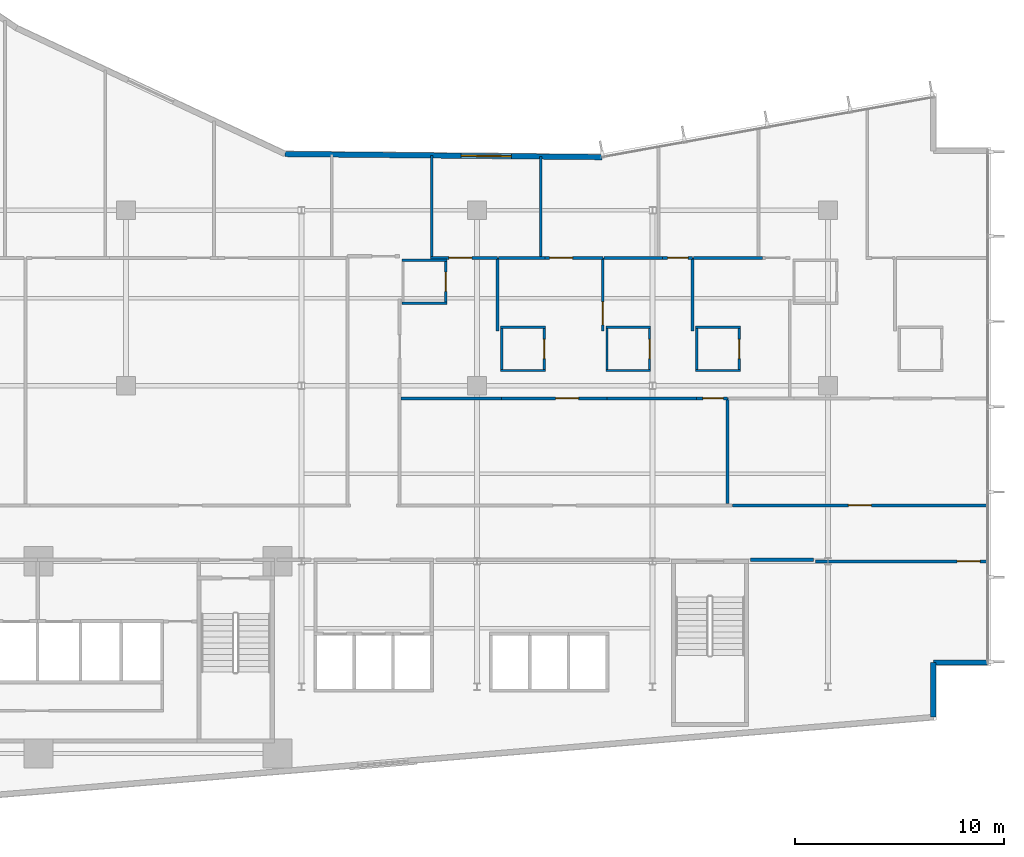
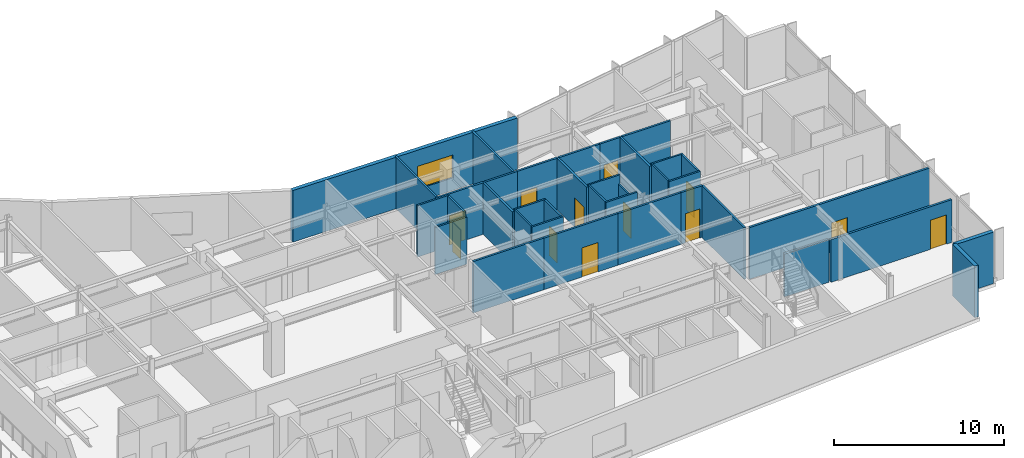
# One storey, part 14 of 22: 37 walls, 12 doors, 1 window, 13 openings.
"""IFC4 building model written with IfcOpenShell, lengths in metres."""

from ifc_helpers import new_model, si_unit, direction, frame, frame_2d, origin, place, context, subcontext, project, spatial, rectangle, extrude, material, layer, layer_set, type_object, element, fill, save


model = new_model("IFC4")

# Units and contexts
model_context = context("Model", 3, precision=1e-05, world=origin(), true_north=direction((0.0, 1.0)))
body_context = subcontext(model_context, "Body", "Model", "MODEL_VIEW")
ifc_project = project(units=[si_unit("LENGTHUNIT", "METRE"), si_unit("AREAUNIT", "SQUARE_METRE"), si_unit("VOLUMEUNIT", "CUBIC_METRE"), si_unit("PLANEANGLEUNIT", "RADIAN"), si_unit("MASSUNIT", "GRAM", prefix="KILO")], contexts=[model_context])

# Site, building, storey
site_placement = place(None, origin())
site = spatial("IfcSite", under=ifc_project, at=site_placement, CompositionType="ELEMENT")
building_placement = place(site_placement, origin())
building = spatial("IfcBuilding", under=site, at=building_placement, Name="Varnakote Quay Hospital", CompositionType="ELEMENT")
storey_placement = place(building_placement, frame((0.0, 0.0, 65.949951171875)))
storey = spatial("IfcBuildingStorey", under=building, at=storey_placement, Name="L16", CompositionType="ELEMENT", Elevation=65.949951171875)

# Walls
ifc_material_1 = material(Name="Fire-rated acoustic gypsum stud wall", Category="gypsum")
ifc_layer_1 = layer(ifc_material_1, 0.159912109375)
ifc_layer_set_1 = layer_set([ifc_layer_1], Name="Fire-rated acoustic gypsum stud wall")
wall_type_1 = type_object("IfcWallType", Name="WL-COMP-160", PredefinedType="PARTITIONING", material=ifc_layer_set_1)
wall_1_placement = place(storey_placement, frame((46.689208984375, 12.080078125, 0.0), z_axis=(0.0, 0.0, 1.0), x_axis=(1.0, 0.0, 0.0)))
element("IfcWall", 1, at=wall_1_placement, inside=storey, type_object=wall_type_1, Name="L16 Corridor South Gap Wall", PredefinedType="PARTITIONING", context=body_context, shape_type="SweptSolid", body=[
    extrude(rectangle(XDim=3.0107421875, YDim=0.159912109375, at=frame_2d((1.50537109375, 0.0))), origin(), (0.0, 0.0, 1.0), 3.072998046875),
])
ifc_material_2 = material(Name="Moisture-resistant bathroom partition", Category="gypsum")
ifc_layer_2 = layer(ifc_material_2, 0.114990234375)
ifc_layer_set_2 = layer_set([ifc_layer_2], Name="Moisture-resistant bathroom partition")
wall_type_2 = type_object("IfcWallType", Name="WL-ENS-115", PredefinedType="PARTITIONING", material=ifc_layer_set_2)
wall_2_placement = place(storey_placement, frame((30.0048828125, 24.342529296875, 0.0), z_axis=(0.0, 0.0, 1.0), x_axis=(1.0, 0.0, 0.0)))
element("IfcWall", 2, at=wall_2_placement, inside=storey, type_object=wall_type_2, Name="L16 Inpatient En-Suite Bathroom 01 S Wall", PredefinedType="PARTITIONING", context=body_context, shape_type="SweptSolid", body=[
    extrude(rectangle(XDim=2.150146484375, YDim=0.114990234375, at=frame_2d((1.0751953125, 0.0))), origin(), (0.0, 0.0, 1.0), 3.3779296875),
])
wall_3_placement = place(storey_placement, frame((30.0048828125, 26.407470703125, 0.0), z_axis=(0.0, 0.0, 1.0), x_axis=(1.0, 0.0, 0.0)))
element("IfcWall", 3, at=wall_3_placement, inside=storey, type_object=wall_type_2, Name="L16 Inpatient En-Suite Bathroom 01 N Wall", PredefinedType="PARTITIONING", context=body_context, shape_type="SweptSolid", body=[
    extrude(rectangle(XDim=2.150146484375, YDim=0.114990234375, at=frame_2d((1.0751953125, 0.0))), origin(), (0.0, 0.0, 1.0), 3.7099609375),
])

# Wall, opening, door
wall_4_placement = place(storey_placement, frame((32.097412109375, 24.39990234375, 0.0), z_axis=(0.0, 0.0, 1.0), x_axis=(0.0, 1.0, 0.0)))
wall_4 = element("IfcWall", 4, at=wall_4_placement, inside=storey, type_object=wall_type_2, Name="L16 Inpatient En-Suite Bathroom 01 E Wall", PredefinedType="PARTITIONING", context=body_context, shape_type="SweptSolid", body=[
    extrude(rectangle(XDim=1.9501953125, YDim=0.114990234375, at=frame_2d((0.97509765625, 0.0))), origin(), (0.0, 0.0, 1.0), 3.7099609375),
])
opening_1_placement = place(wall_4_placement, frame((0.514892578125, 0.0, 0.0)))
opening_1 = element("IfcOpeningElement", 5, at=opening_1_placement, cuts=wall_4, Name="Opening D-L16-ENS01", PredefinedType="OPENING", context=body_context, shape_type="SweptSolid", body=[
    extrude(rectangle(XDim=0.919921875, YDim=2.10009765625, at=frame_2d((0.4599609375, 1.050048828125))), frame((0.0, 0.0673828125, 0.0), z_axis=(0.0, -1.0, 0.0), x_axis=(1.0, 0.0, 0.0)), (0.0, 0.0, 1.0), 0.135009765625),
])
ifc_material_3 = material(Name="Moisture-sealed en-suite bathroom door")
door_type_1 = type_object("IfcDoorType", Name="DR-ENS-920x2100", OperationType="NOTDEFINED", PredefinedType="DOOR", material=ifc_material_3)
door_1_placement = place(opening_1_placement, origin())
door_1 = element("IfcDoor", 6, at=door_1_placement, inside=storey, type_object=door_type_1, Name="L16 Inpatient En-Suite Bathroom 01 Door", OperationType="SINGLE_SWING_RIGHT", OverallHeight=2.10009765625, OverallWidth=0.919921875, PredefinedType="DOOR", context=body_context, shape_type="SweptSolid", body=[
    extrude(rectangle(XDim=0.919921875, YDim=2.10009765625, at=frame_2d((0.4599609375, 1.050048828125))), frame((0.0, 0.02490234375, 0.0), z_axis=(0.0, -1.0, 0.0), x_axis=(1.0, 0.0, 0.0)), (0.0, 0.0, 1.0), 0.050048828125),
])
fill(opening_1, door_1)

# Walls
for number, where, z_axis, x_axis, name in (
    (7, (34.72509765625, 21.132568359375, 0.0), (0.0, 0.0, 1.0), (1.0, 0.0, 0.0), "L16 Inpatient En-Suite Bathroom 02 S Wall"),
    (8, (34.72509765625, 23.197509765625, 0.0), (0.0, 0.0, 1.0), (1.0, 0.0, 0.0), "L16 Inpatient En-Suite Bathroom 02 N Wall"),
):
    element("IfcWall", number, at=place(storey_placement, frame(where, z_axis=z_axis, x_axis=x_axis)), inside=storey, type_object=wall_type_2, Name=name, PredefinedType="PARTITIONING", context=body_context, shape_type="SweptSolid", body=[
        extrude(rectangle(XDim=2.14990234375, YDim=0.114990234375, at=frame_2d((1.074951171875, 0.0))), origin(), (0.0, 0.0, 1.0), 3.7099609375),
    ])
wall_5_placement = place(storey_placement, frame((34.782470703125, 21.18994140625, 0.0), z_axis=(0.0, 0.0, 1.0), x_axis=(0.0, 1.0, 0.0)))
element("IfcWall", 9, at=wall_5_placement, inside=storey, type_object=wall_type_2, Name="L16 Inpatient En-Suite Bathroom 02 W Wall", PredefinedType="PARTITIONING", context=body_context, shape_type="SweptSolid", body=[
    extrude(rectangle(XDim=1.949951171875, YDim=0.114990234375, at=frame_2d((0.97509765625, 0.0))), origin(), (0.0, 0.0, 1.0), 3.7099609375),
])

# Wall, opening, door
wall_6_placement = place(storey_placement, frame((36.8173828125, 21.18994140625, 0.0), z_axis=(0.0, 0.0, 1.0), x_axis=(0.0, 1.0, 0.0)))
wall_6 = element("IfcWall", 10, at=wall_6_placement, inside=storey, type_object=wall_type_2, Name="L16 Inpatient En-Suite Bathroom 02 E Wall", PredefinedType="PARTITIONING", context=body_context, shape_type="SweptSolid", body=[
    extrude(rectangle(XDim=1.949951171875, YDim=0.114990234375, at=frame_2d((0.97509765625, 0.0))), origin(), (0.0, 0.0, 1.0), 3.7099609375),
])
opening_2_placement = place(wall_6_placement, frame((0.514892578125, 0.0, 0.0)))
opening_2 = element("IfcOpeningElement", 11, at=opening_2_placement, cuts=wall_6, Name="Opening D-L16-ENS02", PredefinedType="OPENING", context=body_context, shape_type="SweptSolid", body=[
    extrude(rectangle(XDim=0.919921875, YDim=2.10009765625, at=frame_2d((0.4599609375, 1.050048828125))), frame((0.0, 0.0673828125, 0.0), z_axis=(0.0, -1.0, 0.0), x_axis=(1.0, 0.0, 0.0)), (0.0, 0.0, 1.0), 0.135009765625),
])
door_2_placement = place(opening_2_placement, origin())
door_2 = element("IfcDoor", 12, at=door_2_placement, inside=storey, type_object=door_type_1, Name="L16 Inpatient En-Suite Bathroom 02 Door", OperationType="SINGLE_SWING_LEFT", OverallHeight=2.10009765625, OverallWidth=0.919921875, PredefinedType="DOOR", context=body_context, shape_type="SweptSolid", body=[
    extrude(rectangle(XDim=0.919921875, YDim=2.10009765625, at=frame_2d((0.4599609375, 1.050048828125))), frame((0.0, 0.02490234375, 0.0), z_axis=(0.0, -1.0, 0.0), x_axis=(1.0, 0.0, 0.0)), (0.0, 0.0, 1.0), 0.050048828125),
])
fill(opening_2, door_2)

# Walls
for number, where, z_axis, x_axis, name in (
    (13, (39.764892578125, 21.132568359375, 0.0), (0.0, 0.0, 1.0), (1.0, 0.0, 0.0), "L16 Inpatient En-Suite Bathroom 03 S Wall"),
    (14, (39.764892578125, 23.197509765625, 0.0), (0.0, 0.0, 1.0), (1.0, 0.0, 0.0), "L16 Inpatient En-Suite Bathroom 03 N Wall"),
):
    element("IfcWall", number, at=place(storey_placement, frame(where, z_axis=z_axis, x_axis=x_axis)), inside=storey, type_object=wall_type_2, Name=name, PredefinedType="PARTITIONING", context=body_context, shape_type="SweptSolid", body=[
        extrude(rectangle(XDim=2.150146484375, YDim=0.114990234375, at=frame_2d((1.0751953125, 0.0))), origin(), (0.0, 0.0, 1.0), 3.7099609375),
    ])
wall_7_placement = place(storey_placement, frame((39.822509765625, 21.18994140625, 0.0), z_axis=(0.0, 0.0, 1.0), x_axis=(0.0, 1.0, 0.0)))
element("IfcWall", 15, at=wall_7_placement, inside=storey, type_object=wall_type_2, Name="L16 Inpatient En-Suite Bathroom 03 W Wall", PredefinedType="PARTITIONING", context=body_context, shape_type="SweptSolid", body=[
    extrude(rectangle(XDim=1.949951171875, YDim=0.114990234375, at=frame_2d((0.97509765625, 0.0))), origin(), (0.0, 0.0, 1.0), 3.7099609375),
])

# Wall, opening, door
wall_8_placement = place(storey_placement, frame((41.857421875, 21.18994140625, 0.0), z_axis=(0.0, 0.0, 1.0), x_axis=(0.0, 1.0, 0.0)))
wall_8 = element("IfcWall", 16, at=wall_8_placement, inside=storey, type_object=wall_type_2, Name="L16 Inpatient En-Suite Bathroom 03 E Wall", PredefinedType="PARTITIONING", context=body_context, shape_type="SweptSolid", body=[
    extrude(rectangle(XDim=1.949951171875, YDim=0.114990234375, at=frame_2d((0.97509765625, 0.0))), origin(), (0.0, 0.0, 1.0), 3.072998046875),
])
opening_3_placement = place(wall_8_placement, frame((0.514892578125, 0.0, 0.0)))
opening_3 = element("IfcOpeningElement", 17, at=opening_3_placement, cuts=wall_8, Name="Opening D-L16-ENS03", PredefinedType="OPENING", context=body_context, shape_type="SweptSolid", body=[
    extrude(rectangle(XDim=0.919921875, YDim=2.10009765625, at=frame_2d((0.4599609375, 1.050048828125))), frame((0.0, 0.0673828125, 0.0), z_axis=(0.0, -1.0, 0.0), x_axis=(1.0, 0.0, 0.0)), (0.0, 0.0, 1.0), 0.135009765625),
])
door_3_placement = place(opening_3_placement, origin())
door_3 = element("IfcDoor", 18, at=door_3_placement, inside=storey, type_object=door_type_1, Name="L16 Inpatient En-Suite Bathroom 03 Door", OperationType="SINGLE_SWING_RIGHT", OverallHeight=2.10009765625, OverallWidth=0.919921875, PredefinedType="DOOR", context=body_context, shape_type="SweptSolid", body=[
    extrude(rectangle(XDim=0.919921875, YDim=2.10009765625, at=frame_2d((0.4599609375, 1.050048828125))), frame((0.0, 0.02490234375, 0.0), z_axis=(0.0, -1.0, 0.0), x_axis=(1.0, 0.0, 0.0)), (0.0, 0.0, 1.0), 0.050048828125),
])
fill(opening_3, door_3)

# Walls
for number, where, z_axis, x_axis, name in (
    (19, (44.054931640625, 21.132568359375, 0.0), (0.0, 0.0, 1.0), (1.0, 0.0, 0.0), "L16 Inpatient En-Suite Bathroom 04 S Wall"),
    (20, (44.054931640625, 23.197509765625, 0.0), (0.0, 0.0, 1.0), (1.0, 0.0, 0.0), "L16 Inpatient En-Suite Bathroom 04 N Wall"),
):
    element("IfcWall", number, at=place(storey_placement, frame(where, z_axis=z_axis, x_axis=x_axis)), inside=storey, type_object=wall_type_2, Name=name, PredefinedType="PARTITIONING", context=body_context, shape_type="SweptSolid", body=[
        extrude(rectangle(XDim=2.150146484375, YDim=0.114990234375, at=frame_2d((1.0751953125, 0.0))), origin(), (0.0, 0.0, 1.0), 3.7099609375),
    ])
wall_9_placement = place(storey_placement, frame((44.112548828125, 21.18994140625, 0.0), z_axis=(0.0, 0.0, 1.0), x_axis=(0.0, 1.0, 0.0)))
element("IfcWall", 21, at=wall_9_placement, inside=storey, type_object=wall_type_2, Name="L16 Inpatient En-Suite Bathroom 04 W Wall", PredefinedType="PARTITIONING", context=body_context, shape_type="SweptSolid", body=[
    extrude(rectangle(XDim=1.949951171875, YDim=0.114990234375, at=frame_2d((0.97509765625, 0.0))), origin(), (0.0, 0.0, 1.0), 3.7099609375),
])

# Wall, opening, door
wall_10_placement = place(storey_placement, frame((46.1474609375, 21.18994140625, 0.0), z_axis=(0.0, 0.0, 1.0), x_axis=(0.0, 1.0, 0.0)))
wall_10 = element("IfcWall", 22, at=wall_10_placement, inside=storey, type_object=wall_type_2, Name="L16 Inpatient En-Suite Bathroom 04 E Wall", PredefinedType="PARTITIONING", context=body_context, shape_type="SweptSolid", body=[
    extrude(rectangle(XDim=1.949951171875, YDim=0.114990234375, at=frame_2d((0.97509765625, 0.0))), origin(), (0.0, 0.0, 1.0), 3.7099609375),
])
opening_4_placement = place(wall_10_placement, frame((0.514892578125, 0.0, 0.0)))
opening_4 = element("IfcOpeningElement", 23, at=opening_4_placement, cuts=wall_10, Name="Opening D-L16-ENS04", PredefinedType="OPENING", context=body_context, shape_type="SweptSolid", body=[
    extrude(rectangle(XDim=0.919921875, YDim=2.10009765625, at=frame_2d((0.4599609375, 1.050048828125))), frame((0.0, 0.0673828125, 0.0), z_axis=(0.0, -1.0, 0.0), x_axis=(1.0, 0.0, 0.0)), (0.0, 0.0, 1.0), 0.135009765625),
])
door_4_placement = place(opening_4_placement, origin())
door_4 = element("IfcDoor", 24, at=door_4_placement, inside=storey, type_object=door_type_1, Name="L16 Inpatient En-Suite Bathroom 04 Door", OperationType="SINGLE_SWING_LEFT", OverallHeight=2.10009765625, OverallWidth=0.919921875, PredefinedType="DOOR", context=body_context, shape_type="SweptSolid", body=[
    extrude(rectangle(XDim=0.919921875, YDim=2.10009765625, at=frame_2d((0.4599609375, 1.050048828125))), frame((0.0, 0.02490234375, 0.0), z_axis=(0.0, -1.0, 0.0), x_axis=(1.0, 0.0, 0.0)), (0.0, 0.0, 1.0), 0.050048828125),
])
fill(opening_4, door_4)

# Walls
ifc_material_4 = material(Name="Precast concrete N50 (f'c 50 MPa)", Category="concrete")
ifc_layer_3 = layer(ifc_material_4, 0.260009765625)
ifc_layer_set_3 = layer_set([ifc_layer_3], Name="Precast concrete N50 (f'c 50 MPa)")
wall_type_3 = type_object("IfcWallType", Name="WL-EXT-BRICK-260", PredefinedType="STANDARD", material=ifc_layer_set_3)
wall_11_placement = place(storey_placement, frame((55.43994140625, 4.54736328125, 0.0), z_axis=(0.0, 0.0, 1.0), x_axis=(0.0, 1.0, 0.0)))
element("IfcWall", 25, at=wall_11_placement, inside=storey, type_object=wall_type_3, Name="L16 Brick-Faced Precast Exterior Wall", PredefinedType="STANDARD", context=body_context, shape_type="SweptSolid", body=[
    extrude(rectangle(XDim=2.612548828125, YDim=0.260009765625, at=frame_2d((1.30615234375, 0.0))), origin(), (0.0, 0.0, 1.0), 3.7099609375),
])
wall_12_placement = place(storey_placement, frame((55.43994140625, 7.159912109375, 0.0), z_axis=(0.0, 0.0, 1.0), x_axis=(1.0, 0.0, 0.0)))
element("IfcWall", 26, at=wall_12_placement, inside=storey, type_object=wall_type_3, Name="L16 Brick-Faced Precast Exterior Wall", PredefinedType="STANDARD", context=body_context, shape_type="SweptSolid", body=[
    extrude(rectangle(XDim=2.60009765625, YDim=0.260009765625, at=frame_2d((1.300048828125, 0.0))), origin(), (0.0, 0.0, 1.0), 3.7099609375),
])

# Wall, opening, window
wall_13_placement = place(storey_placement, frame((39.589599609375, 31.343994140625, 0.0), z_axis=(0.0, 0.0, 1.0), x_axis=(-0.999952362926, 0.009760731435, 0.0)))
wall_13 = element("IfcWall", 27, at=wall_13_placement, inside=storey, type_object=wall_type_3, Name="L16 Brick-Faced Precast Exterior Wall", PredefinedType="STANDARD", context=body_context, shape_type="SweptSolid", body=[
    extrude(rectangle(XDim=15.1826171875, YDim=0.260009765625, at=frame_2d((7.59130859375, 0.0))), origin(), (0.0, 0.0, 1.0), 3.7099609375),
])
opening_5_placement = place(wall_13_placement, frame((4.344970703125, 0.0, 0.89990234375)))
opening_5 = element("IfcOpeningElement", 28, at=opening_5_placement, cuts=wall_13, Name="Opening WN-0079", PredefinedType="OPENING", context=body_context, shape_type="SweptSolid", body=[
    extrude(rectangle(XDim=2.39990234375, YDim=1.64990234375, at=frame_2d((1.199951171875, 0.824951171875))), frame((0.0, 0.139892578125, 0.0), z_axis=(0.0, -1.0, 0.0), x_axis=(1.0, 0.0, 0.0)), (0.0, 0.0, 1.0), 0.280029296875),
])
ifc_material_5 = material(Name="Double-glazed low-E solar glass", Category="glass")
window_type = type_object("IfcWindowType", Name="WIN-CLIN-2400x1650", PartitioningType="SINGLE_PANEL", PredefinedType="WINDOW", material=ifc_material_5)
window_placement = place(opening_5_placement, origin())
window = element("IfcWindow", 29, at=window_placement, inside=storey, type_object=window_type, Name="L16 Solar-Control Clinical Window", OverallHeight=1.64990234375, OverallWidth=2.39990234375, PartitioningType="SINGLE_PANEL", PredefinedType="WINDOW", context=body_context, shape_type="SweptSolid", body=[
    extrude(rectangle(XDim=2.39990234375, YDim=1.64990234375, at=frame_2d((1.199951171875, 0.824951171875))), frame((0.0, 0.030029296875, 0.0), z_axis=(0.0, -1.0, 0.0), x_axis=(1.0, 0.0, 0.0)), (0.0, 0.0, 1.0), 0.06005859375),
])
fill(opening_5, window)

# Walls
ifc_material_6 = material(Name="Smoke-proof clinical partition", Category="gypsum")
ifc_layer_4 = layer(ifc_material_6, 0.135009765625)
ifc_layer_set_4 = layer_set([ifc_layer_4], Name="Smoke-proof clinical partition")
wall_type_4 = type_object("IfcWallType", Name="WL-SMOKE-135", PredefinedType="PARTITIONING", material=ifc_layer_set_4)
wall_14_placement = place(storey_placement, frame((45.590087890625, 14.760009765625, 0.0), z_axis=(0.0, 0.0, 1.0), x_axis=(0.0, 1.0, 0.0)))
element("IfcWall", 30, at=wall_14_placement, inside=storey, type_object=wall_type_4, Name="L16 Clinical Interior Partition", PredefinedType="PARTITIONING", context=body_context, shape_type="SweptSolid", body=[
    extrude(rectangle(XDim=5.0400390625, YDim=0.135009765625, at=frame_2d((2.52001953125, 0.0))), origin(), (0.0, 0.0, 1.0), 3.7099609375),
])
wall_15_placement = place(storey_placement, frame((34.774658203125, 19.800048828125, 0.0), z_axis=(0.0, 0.0, 1.0), x_axis=(-1.0, 0.0, 0.0)))
element("IfcWall", 31, at=wall_15_placement, inside=storey, type_object=wall_type_4, Name="L16 Clinical Interior Partition", PredefinedType="PARTITIONING", context=body_context, shape_type="SweptSolid", body=[
    extrude(rectangle(XDim=4.8095703125, YDim=0.135009765625, at=frame_2d((2.40478515625, 0.0))), origin(), (0.0, 0.0, 1.0), 3.7099609375),
])

# Wall, opening, door
wall_16_placement = place(storey_placement, frame((39.814697265625, 19.800048828125, 0.0), z_axis=(0.0, 0.0, 1.0), x_axis=(-1.0, 0.0, 0.0)))
wall_16 = element("IfcWall", 32, at=wall_16_placement, inside=storey, type_object=wall_type_4, Name="L16 Clinical Interior Partition", PredefinedType="PARTITIONING", context=body_context, shape_type="SweptSolid", body=[
    extrude(rectangle(XDim=5.0380859375, YDim=0.135009765625, at=frame_2d((2.51904296875, 0.0))), origin(), (0.0, 0.0, 1.0), 3.7099609375),
])
opening_6_placement = place(wall_16_placement, frame((1.349853515625, 0.0, 0.0)))
opening_6 = element("IfcOpeningElement", 33, at=opening_6_placement, cuts=wall_16, Name="Opening D-L16-BR02", PredefinedType="OPENING", context=body_context, shape_type="SweptSolid", body=[
    extrude(rectangle(XDim=1.10009765625, YDim=2.10009765625, at=frame_2d((0.550048828125, 1.050048828125))), frame((0.0, 0.077392578125, 0.0), z_axis=(0.0, -1.0, 0.0), x_axis=(1.0, 0.0, 0.0)), (0.0, 0.0, 1.0), 0.155029296875),
])
ifc_material_7 = material(Name="Acoustic timber clinical consult door", Category="wood")
door_type_2 = type_object("IfcDoorType", Name="DR-CLIN-FD30S-1100x2100", OperationType="NOTDEFINED", PredefinedType="DOOR", material=ifc_material_7)
door_5_placement = place(opening_6_placement, origin())
door_5 = element("IfcDoor", 34, at=door_5_placement, inside=storey, type_object=door_type_2, Name="L16 Inpatient Clinical Treatment Room 02 Door", OperationType="SINGLE_SWING_LEFT", OverallHeight=2.10009765625, OverallWidth=1.10009765625, PredefinedType="DOOR", context=body_context, shape_type="SweptSolid", body=[
    extrude(rectangle(XDim=1.10009765625, YDim=2.10009765625, at=frame_2d((0.550048828125, 1.050048828125))), frame((0.0, 0.02490234375, 0.0), z_axis=(0.0, -1.0, 0.0), x_axis=(1.0, 0.0, 0.0)), (0.0, 0.0, 1.0), 0.050048828125),
])
fill(opening_6, door_5)

# Wall
wall_17_placement = place(storey_placement, frame((44.1044921875, 19.800048828125, 0.0), z_axis=(0.0, 0.0, 1.0), x_axis=(-1.0, 0.0, 0.0)))
element("IfcWall", 35, at=wall_17_placement, inside=storey, type_object=wall_type_4, Name="L16 Clinical Interior Partition", PredefinedType="PARTITIONING", context=body_context, shape_type="SweptSolid", body=[
    extrude(rectangle(XDim=4.287841796875, YDim=0.135009765625, at=frame_2d((2.14404296875, 0.0))), origin(), (0.0, 0.0, 1.0), 3.7099609375),
])

# Wall, opening, door
wall_18_placement = place(storey_placement, frame((45.590087890625, 19.800048828125, 0.0), z_axis=(0.0, 0.0, 1.0), x_axis=(-1.0, 0.0, 0.0)))
wall_18 = element("IfcWall", 36, at=wall_18_placement, inside=storey, type_object=wall_type_4, Name="L16 Clinical Interior Partition", PredefinedType="PARTITIONING", context=body_context, shape_type="SweptSolid", body=[
    extrude(rectangle(XDim=1.4833984375, YDim=0.135009765625, at=frame_2d((0.74169921875, 0.0))), origin(), (0.0, 0.0, 1.0), 3.7099609375),
])
opening_7_placement = place(wall_18_placement, frame((0.20263671875, 0.0, 0.0)))
opening_7 = element("IfcOpeningElement", 37, at=opening_7_placement, cuts=wall_18, Name="Opening D-L16-BR04", PredefinedType="OPENING", context=body_context, shape_type="SweptSolid", body=[
    extrude(rectangle(XDim=0.97998046875, YDim=2.10009765625, at=frame_2d((0.489990234375, 1.050048828125))), frame((0.0, 0.077392578125, 0.0), z_axis=(0.0, -1.0, 0.0), x_axis=(1.0, 0.0, 0.0)), (0.0, 0.0, 1.0), 0.155029296875),
])
ifc_material_8 = material(Name="Accessible sanitary compartment door")
door_type_3 = type_object("IfcDoorType", Name="DR-WC-980x2100", OperationType="NOTDEFINED", PredefinedType="DOOR", material=ifc_material_8)
door_6_placement = place(opening_7_placement, origin())
door_6 = element("IfcDoor", 38, at=door_6_placement, inside=storey, type_object=door_type_3, Name="L16 Inpatient Clinical Treatment Room 04 Door", OperationType="SINGLE_SWING_RIGHT", OverallHeight=2.10009765625, OverallWidth=0.97998046875, PredefinedType="DOOR", context=body_context, shape_type="SweptSolid", body=[
    extrude(rectangle(XDim=0.97998046875, YDim=2.10009765625, at=frame_2d((0.489990234375, 1.050048828125))), frame((0.0, 0.02490234375, 0.0), z_axis=(0.0, -1.0, 0.0), x_axis=(1.0, 0.0, 0.0)), (0.0, 0.0, 1.0), 0.050048828125),
])
fill(opening_7, door_6)

# Wall
wall_19_placement = place(storey_placement, frame((34.580078125, 23.012451171875, 0.0), z_axis=(0.0, 0.0, 1.0), x_axis=(0.0, 1.0, 0.0)))
element("IfcWall", 39, at=wall_19_placement, inside=storey, type_object=wall_type_4, Name="L16 Clinical Interior Partition", PredefinedType="PARTITIONING", context=body_context, shape_type="SweptSolid", body=[
    extrude(rectangle(XDim=3.507568359375, YDim=0.135009765625, at=frame_2d((1.75390625, 0.0))), origin(), (0.0, 0.0, 1.0), 3.7099609375),
])

# Wall, opening, door
wall_20_placement = place(storey_placement, frame((34.580078125, 26.52001953125, 0.0), z_axis=(0.0, 0.0, 1.0), x_axis=(-1.0, 0.0, 0.0)))
wall_20 = element("IfcWall", 40, at=wall_20_placement, inside=storey, type_object=wall_type_4, Name="L16 Clinical Interior Partition", PredefinedType="PARTITIONING", context=body_context, shape_type="SweptSolid", body=[
    extrude(rectangle(XDim=3.214599609375, YDim=0.135009765625, at=frame_2d((1.607421875, 0.0))), origin(), (0.0, 0.0, 1.0), 3.7099609375),
])
opening_8_placement = place(wall_20_placement, frame((1.228759765625, 0.0, 0.0)))
opening_8 = element("IfcOpeningElement", 41, at=opening_8_placement, cuts=wall_20, Name="Opening D-L16-MD10", PredefinedType="OPENING", context=body_context, shape_type="SweptSolid", body=[
    extrude(rectangle(XDim=1.10009765625, YDim=2.10009765625, at=frame_2d((0.550048828125, 1.050048828125))), frame((0.0, 0.077392578125, 0.0), z_axis=(0.0, -1.0, 0.0), x_axis=(1.0, 0.0, 0.0)), (0.0, 0.0, 1.0), 0.155029296875),
])
door_7_placement = place(opening_8_placement, origin())
door_7 = element("IfcDoor", 42, at=door_7_placement, inside=storey, type_object=door_type_2, Name="L16 Staff Clinical Handover Office Door", OperationType="SINGLE_SWING_LEFT", OverallHeight=2.10009765625, OverallWidth=1.10009765625, PredefinedType="DOOR", context=body_context, shape_type="SweptSolid", body=[
    extrude(rectangle(XDim=1.10009765625, YDim=2.10009765625, at=frame_2d((0.550048828125, 1.050048828125))), frame((0.0, 0.02490234375, 0.0), z_axis=(0.0, -1.0, 0.0), x_axis=(1.0, 0.0, 0.0)), (0.0, 0.0, 1.0), 0.050048828125),
])
fill(opening_8, door_7)

wall_21_placement = place(storey_placement, frame((39.6201171875, 23.012451171875, 0.0), z_axis=(0.0, 0.0, 1.0), x_axis=(0.0, 1.0, 0.0)))
wall_21 = element("IfcWall", 43, at=wall_21_placement, inside=storey, type_object=wall_type_4, Name="L16 Clinical Interior Partition", PredefinedType="PARTITIONING", context=body_context, shape_type="SweptSolid", body=[
    extrude(rectangle(XDim=3.507568359375, YDim=0.135009765625, at=frame_2d((1.75390625, 0.0))), origin(), (0.0, 0.0, 1.0), 3.7099609375),
])
opening_9_placement = place(wall_21_placement, frame((0.30029296875, 0.0, 0.0)))
opening_9 = element("IfcOpeningElement", 44, at=opening_9_placement, cuts=wall_21, Name="Opening D-L16-BR03", PredefinedType="OPENING", context=body_context, shape_type="SweptSolid", body=[
    extrude(rectangle(XDim=1.10009765625, YDim=2.10009765625, at=frame_2d((0.550048828125, 1.050048828125))), frame((0.0, 0.077392578125, 0.0), z_axis=(0.0, -1.0, 0.0), x_axis=(1.0, 0.0, 0.0)), (0.0, 0.0, 1.0), 0.155029296875),
])
door_8_placement = place(opening_9_placement, origin())
door_8 = element("IfcDoor", 45, at=door_8_placement, inside=storey, type_object=door_type_2, Name="L16 Inpatient Clinical Treatment Room 03 Door", OperationType="SINGLE_SWING_RIGHT", OverallHeight=2.10009765625, OverallWidth=1.10009765625, PredefinedType="DOOR", context=body_context, shape_type="SweptSolid", body=[
    extrude(rectangle(XDim=1.10009765625, YDim=2.10009765625, at=frame_2d((0.550048828125, 1.050048828125))), frame((0.0, 0.02490234375, 0.0), z_axis=(0.0, -1.0, 0.0), x_axis=(1.0, 0.0, 0.0)), (0.0, 0.0, 1.0), 0.050048828125),
])
fill(opening_9, door_8)

# Wall
wall_22_placement = place(storey_placement, frame((36.844482421875, 26.52001953125, 0.0), z_axis=(0.0, 0.0, 1.0), x_axis=(-1.0, 0.0, 0.0)))
element("IfcWall", 46, at=wall_22_placement, inside=storey, type_object=wall_type_4, Name="L16 Clinical Interior Partition", PredefinedType="PARTITIONING", context=body_context, shape_type="SweptSolid", body=[
    extrude(rectangle(XDim=2.20703125, YDim=0.135009765625, at=frame_2d((1.103515625, 0.0))), origin(), (0.0, 0.0, 1.0), 3.7099609375),
])

# Wall, opening, door
wall_23_placement = place(storey_placement, frame((39.6201171875, 26.52001953125, 0.0), z_axis=(0.0, 0.0, 1.0), x_axis=(-1.0, 0.0, 0.0)))
wall_23 = element("IfcWall", 47, at=wall_23_placement, inside=storey, type_object=wall_type_4, Name="L16 Clinical Interior Partition", PredefinedType="PARTITIONING", context=body_context, shape_type="SweptSolid", body=[
    extrude(rectangle(XDim=2.7734375, YDim=0.135009765625, at=frame_2d((1.38671875, 0.0))), origin(), (0.0, 0.0, 1.0), 3.7099609375),
])
opening_10_placement = place(wall_23_placement, frame((1.441650390625, 0.0, 0.0)))
opening_10 = element("IfcOpeningElement", 48, at=opening_10_placement, cuts=wall_23, Name="Opening D-L16-MD11", PredefinedType="OPENING", context=body_context, shape_type="SweptSolid", body=[
    extrude(rectangle(XDim=1.10009765625, YDim=2.10009765625, at=frame_2d((0.550048828125, 1.050048828125))), frame((0.0, 0.077392578125, 0.0), z_axis=(0.0, -1.0, 0.0), x_axis=(1.0, 0.0, 0.0)), (0.0, 0.0, 1.0), 0.155029296875),
])
door_9_placement = place(opening_10_placement, origin())
door_9 = element("IfcDoor", 49, at=door_9_placement, inside=storey, type_object=door_type_2, Name="L16 Step-Down Observation Treatment Suite Door", OperationType="SINGLE_SWING_LEFT", OverallHeight=2.10009765625, OverallWidth=1.10009765625, PredefinedType="DOOR", context=body_context, shape_type="SweptSolid", body=[
    extrude(rectangle(XDim=1.10009765625, YDim=2.10009765625, at=frame_2d((0.550048828125, 1.050048828125))), frame((0.0, 0.02490234375, 0.0), z_axis=(0.0, -1.0, 0.0), x_axis=(1.0, 0.0, 0.0)), (0.0, 0.0, 1.0), 0.050048828125),
])
fill(opening_10, door_9)

# Walls
wall_24_placement = place(storey_placement, frame((43.909912109375, 23.012451171875, 0.0), z_axis=(0.0, 0.0, 1.0), x_axis=(0.0, 1.0, 0.0)))
element("IfcWall", 50, at=wall_24_placement, inside=storey, type_object=wall_type_4, Name="L16 Clinical Interior Partition", PredefinedType="PARTITIONING", context=body_context, shape_type="SweptSolid", body=[
    extrude(rectangle(XDim=3.507568359375, YDim=0.135009765625, at=frame_2d((1.75390625, 0.0))), origin(), (0.0, 0.0, 1.0), 3.7099609375),
])
wall_25_placement = place(storey_placement, frame((42.474609375, 26.52001953125, 0.0), z_axis=(0.0, 0.0, 1.0), x_axis=(-1.0, 0.0, 0.0)))
element("IfcWall", 51, at=wall_25_placement, inside=storey, type_object=wall_type_4, Name="L16 Clinical Interior Partition", PredefinedType="PARTITIONING", context=body_context, shape_type="SweptSolid", body=[
    extrude(rectangle(XDim=2.797119140625, YDim=0.135009765625, at=frame_2d((1.3984375, 0.0))), origin(), (0.0, 0.0, 1.0), 3.7099609375),
])

# Wall, opening, door
wall_26_placement = place(storey_placement, frame((43.909912109375, 26.52001953125, 0.0), z_axis=(0.0, 0.0, 1.0), x_axis=(-1.0, 0.0, 0.0)))
wall_26 = element("IfcWall", 52, at=wall_26_placement, inside=storey, type_object=wall_type_4, Name="L16 Clinical Interior Partition", PredefinedType="PARTITIONING", context=body_context, shape_type="SweptSolid", body=[
    extrude(rectangle(XDim=1.433349609375, YDim=0.135009765625, at=frame_2d((0.716796875, 0.0))), origin(), (0.0, 0.0, 1.0), 3.7099609375),
])
opening_11_placement = place(wall_26_placement, frame((0.201416015625, 0.0, 0.0)))
opening_11 = element("IfcOpeningElement", 53, at=opening_11_placement, cuts=wall_26, Name="Opening D-L16-MD12", PredefinedType="OPENING", context=body_context, shape_type="SweptSolid", body=[
    extrude(rectangle(XDim=0.97998046875, YDim=2.10009765625, at=frame_2d((0.489990234375, 1.050048828125))), frame((0.0, 0.077392578125, 0.0), z_axis=(0.0, -1.0, 0.0), x_axis=(1.0, 0.0, 0.0)), (0.0, 0.0, 1.0), 0.155029296875),
])
door_10_placement = place(opening_11_placement, origin())
door_10 = element("IfcDoor", 54, at=door_10_placement, inside=storey, type_object=door_type_3, Name="L16 Family Consultation Meeting Room Door", OperationType="SINGLE_SWING_RIGHT", OverallHeight=2.10009765625, OverallWidth=0.97998046875, PredefinedType="DOOR", context=body_context, shape_type="SweptSolid", body=[
    extrude(rectangle(XDim=0.97998046875, YDim=2.10009765625, at=frame_2d((0.489990234375, 1.050048828125))), frame((0.0, 0.02490234375, 0.0), z_axis=(0.0, -1.0, 0.0), x_axis=(1.0, 0.0, 0.0)), (0.0, 0.0, 1.0), 0.050048828125),
])
fill(opening_11, door_10)

# Walls
wall_27_placement = place(storey_placement, frame((47.2646484375, 26.52001953125, 0.0), z_axis=(0.0, 0.0, 1.0), x_axis=(-1.0, 0.0, 0.0)))
element("IfcWall", 55, at=wall_27_placement, inside=storey, type_object=wall_type_4, Name="L16 Clinical Interior Partition", PredefinedType="PARTITIONING", context=body_context, shape_type="SweptSolid", body=[
    extrude(rectangle(XDim=3.297119140625, YDim=0.135009765625, at=frame_2d((1.6484375, 0.0))), origin(), (0.0, 0.0, 1.0), 3.7099609375),
])
wall_28_placement = place(storey_placement, frame((31.43994140625, 26.577392578125, 0.0), z_axis=(0.0, 0.0, 1.0), x_axis=(0.0, 1.0, 0.0)))
element("IfcWall", 56, at=wall_28_placement, inside=storey, type_object=wall_type_4, Name="L16 Clinical Interior Partition", PredefinedType="PARTITIONING", context=body_context, shape_type="SweptSolid", body=[
    extrude(rectangle(XDim=4.84619140625, YDim=0.135009765625, at=frame_2d((2.423095703125, 0.0))), origin(), (0.0, 0.0, 1.0), 3.7099609375),
])
wall_29_placement = place(storey_placement, frame((36.64990234375, 26.577392578125, 0.0), z_axis=(0.0, 0.0, 1.0), x_axis=(0.0, 1.0, 0.0)))
element("IfcWall", 57, at=wall_29_placement, inside=storey, type_object=wall_type_4, Name="L16 Clinical Interior Partition", PredefinedType="PARTITIONING", context=body_context, shape_type="SweptSolid", body=[
    extrude(rectangle(XDim=4.795166015625, YDim=0.135009765625, at=frame_2d((2.3974609375, 0.0))), origin(), (0.0, 0.0, 1.0), 3.7099609375),
])

# Wall, opening, door
ifc_material_9 = material(Name="Fire-rated clinical gypsum partition", Category="gypsum")
ifc_layer_5 = layer(ifc_material_9, 0.14990234375)
ifc_layer_set_5 = layer_set([ifc_layer_5], Name="Fire-rated clinical gypsum partition")
wall_type_5 = type_object("IfcWallType", Name="WL-WARD-150", PredefinedType="PARTITIONING", material=ifc_layer_set_5)
wall_30_placement = place(storey_placement, frame((58.0400390625, 12.0, 0.0), z_axis=(0.0, 0.0, 1.0), x_axis=(-1.0, 0.0, 0.0)))
wall_30 = element("IfcWall", 58, at=wall_30_placement, inside=storey, type_object=wall_type_5, Name="L16 Clinical Interior Partition", PredefinedType="PARTITIONING", context=body_context, shape_type="SweptSolid", body=[
    extrude(rectangle(XDim=8.239990234375, YDim=0.14990234375, at=frame_2d((4.1201171875, 0.0))), origin(), (0.0, 0.0, 1.0), 3.072998046875),
])
opening_12_placement = place(wall_30_placement, frame((0.368408203125, 0.0, 0.0)))
opening_12 = element("IfcOpeningElement", 59, at=opening_12_placement, cuts=wall_30, Name="Opening D-L16-SE1", PredefinedType="OPENING", context=body_context, shape_type="SweptSolid", body=[
    extrude(rectangle(XDim=1.10009765625, YDim=2.10009765625, at=frame_2d((0.550048828125, 1.050048828125))), frame((0.0, 0.0849609375, 0.0), z_axis=(0.0, -1.0, 0.0), x_axis=(1.0, 0.0, 0.0)), (0.0, 0.0, 1.0), 0.169921875),
])
door_11_placement = place(opening_12_placement, origin())
door_11 = element("IfcDoor", 60, at=door_11_placement, inside=storey, type_object=door_type_2, Name="L16 Clinical Biomedical Engineering Office Door", OperationType="SINGLE_SWING_RIGHT", OverallHeight=2.10009765625, OverallWidth=1.10009765625, PredefinedType="DOOR", context=body_context, shape_type="SweptSolid", body=[
    extrude(rectangle(XDim=1.10009765625, YDim=2.10009765625, at=frame_2d((0.550048828125, 1.050048828125))), frame((0.0, 0.02490234375, 0.0), z_axis=(0.0, -1.0, 0.0), x_axis=(1.0, 0.0, 0.0)), (0.0, 0.0, 1.0), 0.050048828125),
])
fill(opening_12, door_11)

wall_31_placement = place(storey_placement, frame((58.0400390625, 14.679931640625, 0.0), z_axis=(0.0, 0.0, 1.0), x_axis=(-1.0, 0.0, 0.0)))
wall_31 = element("IfcWall", 61, at=wall_31_placement, inside=storey, type_object=wall_type_5, Name="L16 Clinical Interior Partition", PredefinedType="PARTITIONING", context=body_context, shape_type="SweptSolid", body=[
    extrude(rectangle(XDim=12.221923828125, YDim=0.14990234375, at=frame_2d((6.11083984375, 0.0))), origin(), (0.0, 0.0, 1.0), 3.7099609375),
])
opening_13_placement = place(wall_31_placement, frame((5.56103515625, 0.0, 0.0)))
opening_13 = element("IfcOpeningElement", 62, at=opening_13_placement, cuts=wall_31, Name="Opening D-L16-MD03", PredefinedType="OPENING", context=body_context, shape_type="SweptSolid", body=[
    extrude(rectangle(XDim=1.10009765625, YDim=2.10009765625, at=frame_2d((0.550048828125, 1.050048828125))), frame((0.0, 0.0849609375, 0.0), z_axis=(0.0, -1.0, 0.0), x_axis=(1.0, 0.0, 0.0)), (0.0, 0.0, 1.0), 0.169921875),
])
door_12_placement = place(opening_13_placement, origin())
door_12 = element("IfcDoor", 63, at=door_12_placement, inside=storey, type_object=door_type_2, Name="L16 Step-Down Observation Treatment Suite Door", OperationType="SINGLE_SWING_LEFT", OverallHeight=2.10009765625, OverallWidth=1.10009765625, PredefinedType="DOOR", context=body_context, shape_type="SweptSolid", body=[
    extrude(rectangle(XDim=1.10009765625, YDim=2.10009765625, at=frame_2d((0.550048828125, 1.050048828125))), frame((0.0, 0.02490234375, 0.0), z_axis=(0.0, -1.0, 0.0), x_axis=(1.0, 0.0, 0.0)), (0.0, 0.0, 1.0), 0.050048828125),
])
fill(opening_13, door_12)

save(model, "model.ifc")
